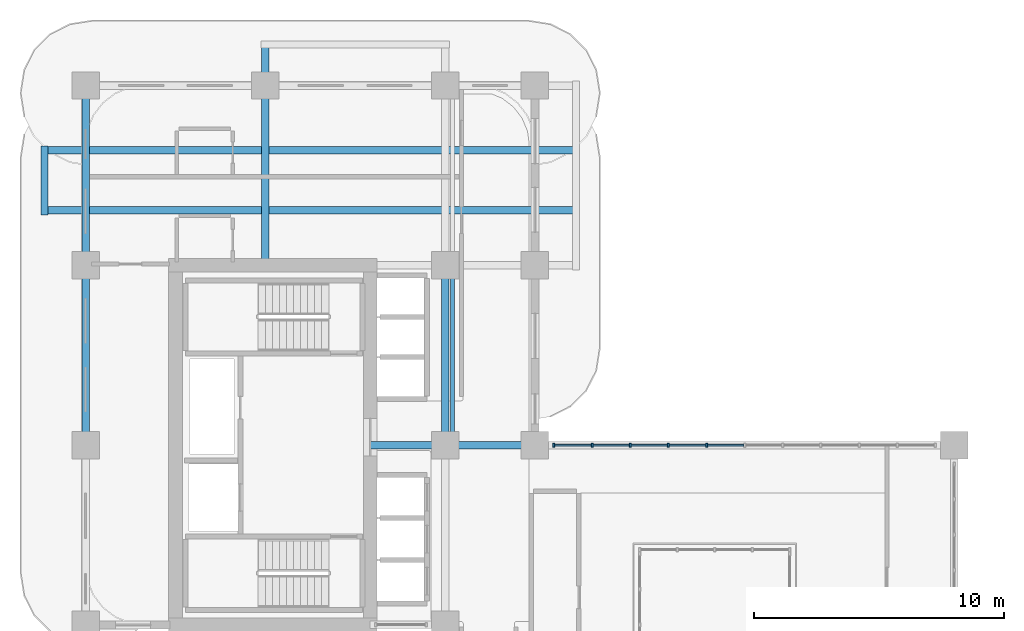
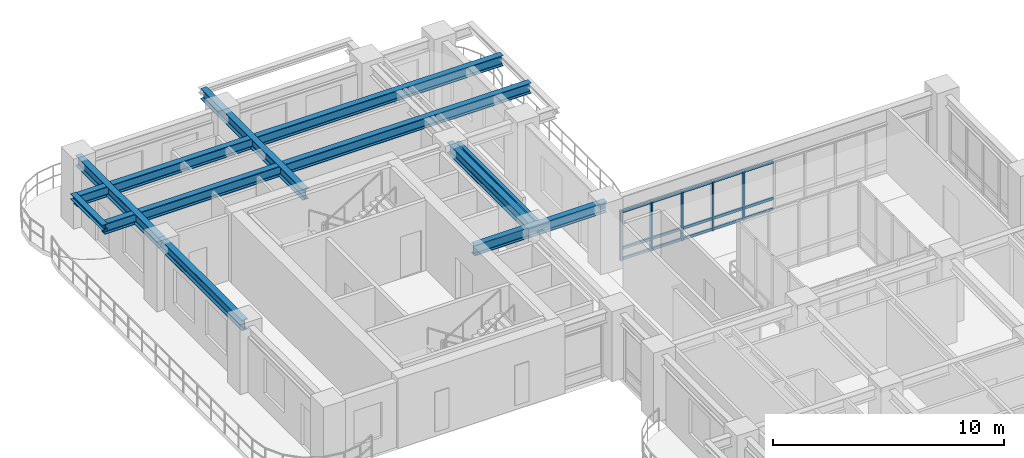
# One storey, part 6 of 22: 20 members, 9 beams, 1 element without a shape of its own.
"""IFC4 building model written with IfcOpenShell, lengths in metres."""

from ifc_helpers import new_model, si_unit, derived_unit, direction, frame, origin, origin_2d, place, context, subcontext, project, spatial, rectangle, i_section, extrude, source, transform, mapped, material, layer, layer_set, material_profile, profile_set, type_object, type_shapes, element, aggregate, save


model = new_model("IFC4")

# Units and contexts
model_context = context("Model", 3, precision=1e-05, world=origin(), true_north=direction((0.0, 1.0)))
body_context = subcontext(model_context, "Body", "Model", "MODEL_VIEW")
ifc_project = project(units=[si_unit("LENGTHUNIT", "METRE"), si_unit("AREAUNIT", "SQUARE_METRE"), si_unit("VOLUMEUNIT", "CUBIC_METRE"), si_unit("PLANEANGLEUNIT", "RADIAN"), si_unit("MASSUNIT", "GRAM", prefix="KILO"), si_unit("THERMODYNAMICTEMPERATUREUNIT", "KELVIN"), si_unit("POWERUNIT", "WATT"), derived_unit("THERMALTRANSMITTANCEUNIT", [(si_unit("POWERUNIT", "WATT"), 1), (si_unit("AREAUNIT", "SQUARE_METRE"), -1), (si_unit("THERMODYNAMICTEMPERATUREUNIT", "KELVIN"), -1)])], contexts=[model_context])

# Site, building, storey
site_placement = place(None, origin())
site = spatial("IfcSite", under=ifc_project, at=site_placement, CompositionType="ELEMENT")
building_placement = place(site_placement, origin())
building = spatial("IfcBuilding", under=site, at=building_placement, Name="Zahravan Archway Hotel and Residences", CompositionType="ELEMENT")
storey_placement = place(building_placement, frame((0.0, 0.0, 84.199951171875)))
storey = spatial("IfcBuildingStorey", under=building, at=storey_placement, Name="L20", CompositionType="ELEMENT", Elevation=84.199951171875)

# Beams
ifc_material_1 = material(Name="Structural Steel S355JR", Category="steel")
ifc_material_profile_1 = material_profile(ifc_material_1, i_section(OverallWidth=0.280029296875, OverallDepth=0.280029296875, WebThickness=0.010498046875, FlangeThickness=0.01806640625, FilletRadius=0.02392578125, at=origin_2d()), Name="HEB 280", Category="steel")
ifc_profile_set_1 = profile_set([ifc_material_profile_1], Name="Structural Steel S355JR")
beam_type_1 = type_object("IfcBeamType", Name="BM-SPN-HEB280", PredefinedType="SPANDREL", material=ifc_profile_set_1)
shared_shape_1 = source(origin(), body_context, "Body", "SweptSolid", [
    extrude(i_section(OverallWidth=0.280029296875, OverallDepth=0.280029296875, WebThickness=0.010498046875, FlangeThickness=0.01806640625, FilletRadius=0.02392578125, at=origin_2d()), origin(), (0.0, 0.0, 1.0), 2.759765625),
])
beam_1_placement = place(storey_placement, frame((-1.64990234375, 41.6201171875, 3.31005859375), z_axis=(0.0, 1.0, 0.0), x_axis=(-1.0, 0.0, 0.0)))
element("IfcBeam", 1, at=beam_1_placement, inside=storey, type_object=beam_type_1, Name="L21 WB Balcony Edge Spandrel", PredefinedType="SPANDREL", context=body_context, shape_type="MappedRepresentation", body=[
    mapped(shared_shape_1, transform((0.0, 0.0, 0.0), scale=1.0)),
])
ifc_material_profile_2 = material_profile(ifc_material_1, i_section(OverallWidth=0.300048828125, OverallDepth=0.550048828125, WebThickness=0.014892578125, FlangeThickness=0.029052734375, FilletRadius=0.027099609375, at=origin_2d()), Name="HEB 550", Category="steel")
ifc_profile_set_2 = profile_set([ifc_material_profile_2], Name="Structural Steel S355JR")
beam_type_2 = type_object("IfcBeamType", Name="BM-PRI-HEB550", PredefinedType="BEAM", material=ifc_profile_set_2)
shared_shape_2 = source(origin(), body_context, "Body", "SweptSolid", [
    extrude(i_section(OverallWidth=0.300048828125, OverallDepth=0.550048828125, WebThickness=0.014892578125, FlangeThickness=0.029052734375, FilletRadius=0.027099609375, at=origin_2d()), origin(), (0.0, 0.0, 1.0), 7.2001953125),
])
type_shapes(beam_type_2, [shared_shape_2])
for number, where, z_axis, x_axis, name in (
    (2, (0.0, 32.39990234375, 3.175048828125), (0.0, 1.0, 0.0), (-1.0, 0.0, 0.0), "L20 Primary Girder NS-29"),
    (3, (14.39990234375, 32.39990234375, 3.175048828125), (0.0, 1.0, 0.0), (-1.0, 0.0, 0.0), "L20 Primary Girder NS-37"),
):
    element("IfcBeam", number, at=place(storey_placement, frame(where, z_axis=z_axis, x_axis=x_axis)), inside=storey, type_object=beam_type_2, Name=name, PredefinedType="BEAM", context=body_context, shape_type="MappedRepresentation", body=[
        mapped(shared_shape_2, transform((0.0, 0.0, 0.0), scale=1.0)),
    ])
shared_shape_3 = source(origin(), body_context, "Body", "SweptSolid", [
    extrude(i_section(OverallWidth=0.300048828125, OverallDepth=0.550048828125, WebThickness=0.014892578125, FlangeThickness=0.029052734375, FilletRadius=0.027099609375, at=origin_2d()), origin(), (0.0, 0.0, 1.0), 7.199951171875),
])
beam_2_placement = place(storey_placement, frame((0.0, 39.60009765625, 3.175048828125), z_axis=(0.0, 1.0, 0.0), x_axis=(-1.0, 0.0, 0.0)))
element("IfcBeam", 4, at=beam_2_placement, inside=storey, type_object=beam_type_2, Name="L20 Primary Girder NS-30", PredefinedType="BEAM", context=body_context, shape_type="MappedRepresentation", body=[
    mapped(shared_shape_3, transform((0.0, 0.0, 0.0), scale=1.0)),
])
shared_shape_4 = source(origin(), body_context, "Body", "SweptSolid", [
    extrude(i_section(OverallWidth=0.300048828125, OverallDepth=0.550048828125, WebThickness=0.014892578125, FlangeThickness=0.029052734375, FilletRadius=0.027099609375, at=origin_2d()), origin(), (0.0, 0.0, 1.0), 6.60009765625),
])
beam_3_placement = place(storey_placement, frame((11.39990234375, 32.39990234375, 3.175048828125), z_axis=(1.0, 0.0, 0.0), x_axis=(0.0, 1.0, 0.0)))
element("IfcBeam", 5, at=beam_3_placement, inside=storey, type_object=beam_type_2, Name="L20 Primary Girder EW-21", PredefinedType="BEAM", context=body_context, shape_type="MappedRepresentation", body=[
    mapped(shared_shape_4, transform((0.0, 0.0, 0.0), scale=1.0)),
])
shared_shape_5 = source(origin(), body_context, "Body", "SweptSolid", [
    extrude(i_section(OverallWidth=0.300048828125, OverallDepth=0.550048828125, WebThickness=0.014892578125, FlangeThickness=0.029052734375, FilletRadius=0.027099609375, at=origin_2d()), origin(), (0.0, 0.0, 1.0), 21.2998046875),
])
for number, where, z_axis, x_axis, name in (
    (6, (-1.64990234375, 41.800048828125, 3.175048828125), (1.0, 0.0, 0.0), (0.0, 1.0, 0.0), "L20 Primary Girder EW-26"),
    (7, (-1.64990234375, 44.199951171875, 3.175048828125), (1.0, 0.0, 0.0), (0.0, 1.0, 0.0), "L20 Primary Girder EW-27"),
):
    element("IfcBeam", number, at=place(storey_placement, frame(where, z_axis=z_axis, x_axis=x_axis)), inside=storey, type_object=beam_type_2, Name=name, PredefinedType="BEAM", context=body_context, shape_type="MappedRepresentation", body=[
        mapped(shared_shape_5, transform((0.0, 0.0, 0.0), scale=1.0)),
    ])
shared_shape_6 = source(origin(), body_context, "Body", "SweptSolid", [
    extrude(i_section(OverallWidth=0.300048828125, OverallDepth=0.550048828125, WebThickness=0.014892578125, FlangeThickness=0.029052734375, FilletRadius=0.027099609375, at=origin_2d()), origin(), (0.0, 0.0, 1.0), 8.849853515625),
])
beam_4_placement = place(storey_placement, frame((7.199951171875, 39.60009765625, 3.175048828125), z_axis=(0.0, 1.0, 0.0), x_axis=(-1.0, 0.0, 0.0)))
element("IfcBeam", 8, at=beam_4_placement, inside=storey, type_object=beam_type_2, Name="L20 Primary Girder NS-31", PredefinedType="BEAM", context=body_context, shape_type="MappedRepresentation", body=[
    mapped(shared_shape_6, transform((0.0, 0.0, 0.0), scale=1.0)),
])
ifc_material_profile_3 = material_profile(ifc_material_1, i_section(OverallWidth=0.169921875, OverallDepth=0.360107421875, WebThickness=0.008056640625, FlangeThickness=0.0126953125, FilletRadius=0.01806640625, at=origin_2d()), Name="IPE 360", Category="steel")
ifc_profile_set_3 = profile_set([ifc_material_profile_3], Name="Structural Steel S355JR")
beam_type_3 = type_object("IfcBeamType", Name="BM-JST-IPE360", PredefinedType="JOIST", material=ifc_profile_set_3)
shared_shape_7 = source(origin(), body_context, "Body", "SweptSolid", [
    extrude(i_section(OverallWidth=0.169921875, OverallDepth=0.360107421875, WebThickness=0.008056640625, FlangeThickness=0.0126953125, FilletRadius=0.01806640625, at=origin_2d()), origin(), (0.0, 0.0, 1.0), 6.90380859375),
])
beam_5_placement = place(storey_placement, frame((14.699951171875, 32.548095703125, 3.27001953125), z_axis=(0.0, 1.0, 0.0), x_axis=(-1.0, 0.0, 0.0)))
element("IfcBeam", 9, at=beam_5_placement, inside=storey, type_object=beam_type_3, Name="L20 Composite Floor Joist 13", PredefinedType="JOIST", context=body_context, shape_type="MappedRepresentation", body=[
    mapped(shared_shape_7, transform((0.0, 0.0, 0.0), scale=1.0)),
])

# Curtain wall, members
ifc_material_2 = material(Name="Bronze-Anodized Unitised Aluminium & Low-E Glass", Category="aluminium")
ifc_layer = layer(ifc_material_2, 0.179931640625, Name="Bronze-Anodized Unitised Aluminium & Low-E Glass", Category="aluminium")
ifc_layer_set = layer_set([ifc_layer], Name="Bronze-Anodized Unitised Aluminium & Low-E Glass")
curtain_wall_type = type_object("IfcCurtainWallType", Name="CW-TWR-FEAT", PredefinedType="NOTDEFINED", material=ifc_layer_set)
curtain_wall_placement = place(storey_placement, origin())
curtain_wall = element("IfcCurtainWall", 10, at=curtain_wall_placement, inside=storey, type_object=curtain_wall_type, Name="L20 Curtain Wall CW-L20-HNG-N-1", PredefinedType="NOTDEFINED")
ifc_material_3 = material(Name="Bronze-Anodized Extruded Aluminium", Category="aluminium")
ifc_material_profile_4 = material_profile(ifc_material_3, rectangle(XDim=0.080078125, YDim=0.159912109375, at=origin_2d()), Name="MUL 80x160", Category="aluminium")
ifc_profile_set_4 = profile_set([ifc_material_profile_4], Name="Bronze-Anodized Extruded Aluminium")
member_type_1 = type_object("IfcMemberType", Name="CWM-MUL-160", PredefinedType="MULLION", material=ifc_profile_set_4)
shared_shape_8 = source(origin(), body_context, "Body", "SweptSolid", [
    extrude(rectangle(XDim=0.080078125, YDim=0.159912109375, at=origin_2d()), origin(), (0.0, 0.0, 1.0), 2.635009765625),
])
member_1_placement = place(storey_placement, frame((18.760009765625, 32.39990234375, 0.0), z_axis=(0.0, 0.0, 1.0), x_axis=(1.0, 0.0, 0.0)))
member_1 = element("IfcMember", 11, at=member_1_placement, type_object=member_type_1, Name="CW-L20-HNG-N-1 Mullion 0", PredefinedType="MULLION", context=body_context, shape_type="MappedRepresentation", body=[
    mapped(shared_shape_8, transform((0.0, 0.0, 0.0), scale=1.0)),
])
member_2_placement = place(storey_placement, frame((20.2880859375, 32.39990234375, 0.0), z_axis=(0.0, 0.0, 1.0), x_axis=(1.0, 0.0, 0.0)))
member_2 = element("IfcMember", 12, at=member_2_placement, type_object=member_type_1, Name="CW-L20-HNG-N-1 Mullion 1", PredefinedType="MULLION", context=body_context, shape_type="MappedRepresentation", body=[
    mapped(shared_shape_8, transform((0.0, 0.0, 0.0), scale=1.0)),
])
member_3_placement = place(storey_placement, frame((21.81591796875, 32.39990234375, 0.0), z_axis=(0.0, 0.0, 1.0), x_axis=(1.0, 0.0, 0.0)))
member_3 = element("IfcMember", 13, at=member_3_placement, type_object=member_type_1, Name="CW-L20-HNG-N-1 Mullion 2", PredefinedType="MULLION", context=body_context, shape_type="MappedRepresentation", body=[
    mapped(shared_shape_8, transform((0.0, 0.0, 0.0), scale=1.0)),
])
member_4_placement = place(storey_placement, frame((23.343994140625, 32.39990234375, 0.0), z_axis=(0.0, 0.0, 1.0), x_axis=(1.0, 0.0, 0.0)))
member_4 = element("IfcMember", 14, at=member_4_placement, type_object=member_type_1, Name="CW-L20-HNG-N-1 Mullion 3", PredefinedType="MULLION", context=body_context, shape_type="MappedRepresentation", body=[
    mapped(shared_shape_8, transform((0.0, 0.0, 0.0), scale=1.0)),
])
member_5_placement = place(storey_placement, frame((24.8720703125, 32.39990234375, 0.0), z_axis=(0.0, 0.0, 1.0), x_axis=(1.0, 0.0, 0.0)))
member_5 = element("IfcMember", 15, at=member_5_placement, type_object=member_type_1, Name="CW-L20-HNG-N-1 Mullion 4", PredefinedType="MULLION", context=body_context, shape_type="MappedRepresentation", body=[
    mapped(shared_shape_8, transform((0.0, 0.0, 0.0), scale=1.0)),
])
ifc_material_profile_5 = material_profile(ifc_material_3, rectangle(XDim=0.080078125, YDim=0.139892578125, at=origin_2d()), Name="TRN 80x140", Category="aluminium")
ifc_profile_set_5 = profile_set([ifc_material_profile_5], Name="Bronze-Anodized Extruded Aluminium")
member_type_2 = type_object("IfcMemberType", Name="CWM-TRN-140", PredefinedType="USERDEFINED", material=ifc_profile_set_5)
shared_shape_9 = source(origin(), body_context, "Body", "SweptSolid", [
    extrude(rectangle(XDim=0.080078125, YDim=0.139892578125, at=origin_2d()), origin(), (0.0, 0.0, 1.0), 1.447998046875),
])
member_6_placement = place(storey_placement, frame((18.800048828125, 32.39990234375, 0.070068359375), z_axis=(1.0, 0.0, 0.0), x_axis=(0.0, 1.0, 0.0)))
member_6 = element("IfcMember", 16, at=member_6_placement, type_object=member_type_2, Name="CW-L20-HNG-N-1 Transom 0-1", ObjectType="TRANSOM", PredefinedType="USERDEFINED", context=body_context, shape_type="MappedRepresentation", body=[
    mapped(shared_shape_9, transform((0.0, 0.0, 0.0), scale=1.0)),
])
member_7_placement = place(storey_placement, frame((18.800048828125, 32.39990234375, 0.632568359375), z_axis=(1.0, 0.0, 0.0), x_axis=(0.0, 1.0, 0.0)))
member_7 = element("IfcMember", 17, at=member_7_placement, type_object=member_type_2, Name="CW-L20-HNG-N-1 Transom 0-2", ObjectType="TRANSOM", PredefinedType="USERDEFINED", context=body_context, shape_type="MappedRepresentation", body=[
    mapped(shared_shape_9, transform((0.0, 0.0, 0.0), scale=1.0)),
])
member_8_placement = place(storey_placement, frame((18.800048828125, 32.39990234375, 2.56494140625), z_axis=(1.0, 0.0, 0.0), x_axis=(0.0, 1.0, 0.0)))
member_8 = element("IfcMember", 18, at=member_8_placement, type_object=member_type_2, Name="CW-L20-HNG-N-1 Transom 0-3", ObjectType="TRANSOM", PredefinedType="USERDEFINED", context=body_context, shape_type="MappedRepresentation", body=[
    mapped(shared_shape_9, transform((0.0, 0.0, 0.0), scale=1.0)),
])
member_9_placement = place(storey_placement, frame((20.327880859375, 32.39990234375, 0.070068359375), z_axis=(1.0, 0.0, 0.0), x_axis=(0.0, 1.0, 0.0)))
member_9 = element("IfcMember", 19, at=member_9_placement, type_object=member_type_2, Name="CW-L20-HNG-N-1 Transom 1-1", ObjectType="TRANSOM", PredefinedType="USERDEFINED", context=body_context, shape_type="MappedRepresentation", body=[
    mapped(shared_shape_9, transform((0.0, 0.0, 0.0), scale=1.0)),
])
member_10_placement = place(storey_placement, frame((20.327880859375, 32.39990234375, 0.632568359375), z_axis=(1.0, 0.0, 0.0), x_axis=(0.0, 1.0, 0.0)))
member_10 = element("IfcMember", 20, at=member_10_placement, type_object=member_type_2, Name="CW-L20-HNG-N-1 Transom 1-2", ObjectType="TRANSOM", PredefinedType="USERDEFINED", context=body_context, shape_type="MappedRepresentation", body=[
    mapped(shared_shape_9, transform((0.0, 0.0, 0.0), scale=1.0)),
])
member_11_placement = place(storey_placement, frame((20.327880859375, 32.39990234375, 2.56494140625), z_axis=(1.0, 0.0, 0.0), x_axis=(0.0, 1.0, 0.0)))
member_11 = element("IfcMember", 21, at=member_11_placement, type_object=member_type_2, Name="CW-L20-HNG-N-1 Transom 1-3", ObjectType="TRANSOM", PredefinedType="USERDEFINED", context=body_context, shape_type="MappedRepresentation", body=[
    mapped(shared_shape_9, transform((0.0, 0.0, 0.0), scale=1.0)),
])
member_12_placement = place(storey_placement, frame((21.85595703125, 32.39990234375, 0.070068359375), z_axis=(1.0, 0.0, 0.0), x_axis=(0.0, 1.0, 0.0)))
member_12 = element("IfcMember", 22, at=member_12_placement, type_object=member_type_2, Name="CW-L20-HNG-N-1 Transom 2-1", ObjectType="TRANSOM", PredefinedType="USERDEFINED", context=body_context, shape_type="MappedRepresentation", body=[
    mapped(shared_shape_9, transform((0.0, 0.0, 0.0), scale=1.0)),
])
member_13_placement = place(storey_placement, frame((21.85595703125, 32.39990234375, 0.632568359375), z_axis=(1.0, 0.0, 0.0), x_axis=(0.0, 1.0, 0.0)))
member_13 = element("IfcMember", 23, at=member_13_placement, type_object=member_type_2, Name="CW-L20-HNG-N-1 Transom 2-2", ObjectType="TRANSOM", PredefinedType="USERDEFINED", context=body_context, shape_type="MappedRepresentation", body=[
    mapped(shared_shape_9, transform((0.0, 0.0, 0.0), scale=1.0)),
])
member_14_placement = place(storey_placement, frame((21.85595703125, 32.39990234375, 2.56494140625), z_axis=(1.0, 0.0, 0.0), x_axis=(0.0, 1.0, 0.0)))
member_14 = element("IfcMember", 24, at=member_14_placement, type_object=member_type_2, Name="CW-L20-HNG-N-1 Transom 2-3", ObjectType="TRANSOM", PredefinedType="USERDEFINED", context=body_context, shape_type="MappedRepresentation", body=[
    mapped(shared_shape_9, transform((0.0, 0.0, 0.0), scale=1.0)),
])
member_15_placement = place(storey_placement, frame((23.384033203125, 32.39990234375, 0.070068359375), z_axis=(1.0, 0.0, 0.0), x_axis=(0.0, 1.0, 0.0)))
member_15 = element("IfcMember", 25, at=member_15_placement, type_object=member_type_2, Name="CW-L20-HNG-N-1 Transom 3-1", ObjectType="TRANSOM", PredefinedType="USERDEFINED", context=body_context, shape_type="MappedRepresentation", body=[
    mapped(shared_shape_9, transform((0.0, 0.0, 0.0), scale=1.0)),
])
member_16_placement = place(storey_placement, frame((23.384033203125, 32.39990234375, 0.632568359375), z_axis=(1.0, 0.0, 0.0), x_axis=(0.0, 1.0, 0.0)))
member_16 = element("IfcMember", 26, at=member_16_placement, type_object=member_type_2, Name="CW-L20-HNG-N-1 Transom 3-2", ObjectType="TRANSOM", PredefinedType="USERDEFINED", context=body_context, shape_type="MappedRepresentation", body=[
    mapped(shared_shape_9, transform((0.0, 0.0, 0.0), scale=1.0)),
])
member_17_placement = place(storey_placement, frame((23.384033203125, 32.39990234375, 2.56494140625), z_axis=(1.0, 0.0, 0.0), x_axis=(0.0, 1.0, 0.0)))
member_17 = element("IfcMember", 27, at=member_17_placement, type_object=member_type_2, Name="CW-L20-HNG-N-1 Transom 3-3", ObjectType="TRANSOM", PredefinedType="USERDEFINED", context=body_context, shape_type="MappedRepresentation", body=[
    mapped(shared_shape_9, transform((0.0, 0.0, 0.0), scale=1.0)),
])
member_18_placement = place(storey_placement, frame((24.912109375, 32.39990234375, 0.070068359375), z_axis=(1.0, 0.0, 0.0), x_axis=(0.0, 1.0, 0.0)))
member_18 = element("IfcMember", 28, at=member_18_placement, type_object=member_type_2, Name="CW-L20-HNG-N-1 Transom 4-1", ObjectType="TRANSOM", PredefinedType="USERDEFINED", context=body_context, shape_type="MappedRepresentation", body=[
    mapped(shared_shape_9, transform((0.0, 0.0, 0.0), scale=1.0)),
])
member_19_placement = place(storey_placement, frame((24.912109375, 32.39990234375, 0.632568359375), z_axis=(1.0, 0.0, 0.0), x_axis=(0.0, 1.0, 0.0)))
member_19 = element("IfcMember", 29, at=member_19_placement, type_object=member_type_2, Name="CW-L20-HNG-N-1 Transom 4-2", ObjectType="TRANSOM", PredefinedType="USERDEFINED", context=body_context, shape_type="MappedRepresentation", body=[
    mapped(shared_shape_9, transform((0.0, 0.0, 0.0), scale=1.0)),
])
member_20_placement = place(storey_placement, frame((24.912109375, 32.39990234375, 2.56494140625), z_axis=(1.0, 0.0, 0.0), x_axis=(0.0, 1.0, 0.0)))
member_20 = element("IfcMember", 30, at=member_20_placement, type_object=member_type_2, Name="CW-L20-HNG-N-1 Transom 4-3", ObjectType="TRANSOM", PredefinedType="USERDEFINED", context=body_context, shape_type="MappedRepresentation", body=[
    mapped(shared_shape_9, transform((0.0, 0.0, 0.0), scale=1.0)),
])
aggregate(curtain_wall, [member_1, member_2, member_3, member_4, member_5, member_6, member_7, member_8, member_9, member_10, member_11, member_12, member_13, member_14, member_15, member_16, member_17, member_18, member_19, member_20])

save(model, "model.ifc")
